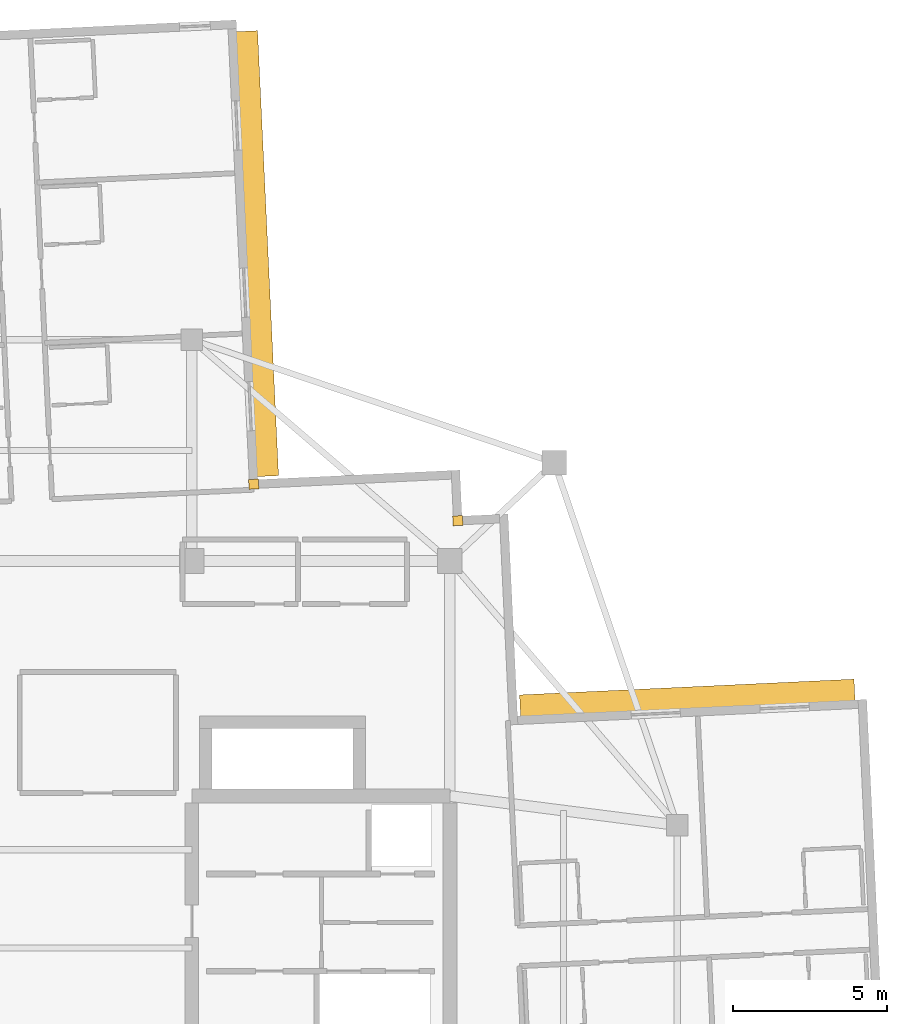
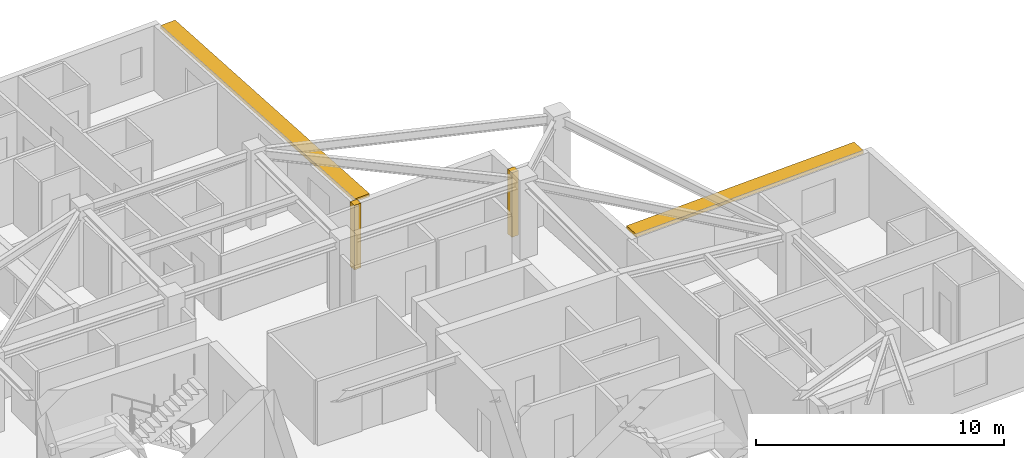
# One storey, part 13 of 13: 2 coverings, 2 shading devices.
"""IFC4 building model written with IfcOpenShell, lengths in metres."""

from ifc_helpers import new_model, si_unit, direction, frame, origin, origin_2d, place, context, subcontext, project, spatial, rectangle, extrude, material, layer, layer_set, type_object, element, save


model = new_model("IFC4")

# Units and contexts
model_context = context("Model", 3, precision=1e-05, world=origin(), true_north=direction((0.0, 1.0)))
body_context = subcontext(model_context, "Body", "Model", "MODEL_VIEW")
ifc_project = project(units=[si_unit("LENGTHUNIT", "METRE"), si_unit("AREAUNIT", "SQUARE_METRE"), si_unit("VOLUMEUNIT", "CUBIC_METRE"), si_unit("PLANEANGLEUNIT", "RADIAN"), si_unit("MASSUNIT", "GRAM", prefix="KILO")], contexts=[model_context])

# Site, building, storey
site_placement = place(None, origin())
site = spatial("IfcSite", under=ifc_project, at=site_placement, CompositionType="ELEMENT")
building_placement = place(site_placement, origin())
building = spatial("IfcBuilding", under=site, at=building_placement, Name="Qingluan Cross Belvedere", CompositionType="ELEMENT")
storey_placement = place(building_placement, frame((0.0, 0.0, 277.199951171875)))
storey = spatial("IfcBuildingStorey", under=building, at=storey_placement, Name="L69", CompositionType="ELEMENT", Elevation=277.199951171875)

# Coverings
ifc_material_1 = material(Name="Precast concrete C45", Category="concrete")
ifc_layer_1 = layer(ifc_material_1, 0.1201171875, Name="ConcreteSpandrelCladding_120")
ifc_layer_set_1 = layer_set([ifc_layer_1], Name="Precast concrete C45")
covering_type = type_object("IfcCoveringType", Name="ConcreteSpandrelCladding_120", PredefinedType="CLADDING", material=ifc_layer_set_1)
for number, where, z_axis, x_axis, name in (
    (1, (12.65869140625, 13.911865234375, 0.0), (0.0, 0.0, 1.0), (0.998889874962, 0.04710645071, 0.0), "Corner closure L69-NE1"),
    (2, (6.015380859375, 15.10009765625, 0.0), (0.0, 0.0, 1.0), (0.998889874962, 0.04710645071, 0.0), "Corner closure L69-NE2"),
):
    element("IfcCovering", number, at=place(storey_placement, frame(where, z_axis=z_axis, x_axis=x_axis)), inside=storey, type_object=covering_type, Name=name, PredefinedType="CLADDING", context=body_context, shape_type="SweptSolid", body=[
        extrude(rectangle(XDim=0.320068359375, YDim=0.320068359375, at=origin_2d()), origin(), (0.0, 0.0, 1.0), 3.179931640625),
    ])

# Shading devices
ifc_material_2 = material(Name="Precast concrete C45", Category="concrete")
ifc_layer_2 = layer(ifc_material_2, 0.139892578125, Name="ConcreteSunshadeBand_700")
ifc_layer_set_2 = layer_set([ifc_layer_2], Name="Precast concrete C45")
shading_device_type = type_object("IfcShadingDeviceType", Name="ConcreteSunshadeBand_700", PredefinedType="USERDEFINED", material=ifc_layer_set_2)
shading_device_1_placement = place(storey_placement, frame((20.128662109375, 8.147216796875, 3.0), z_axis=(0.0, 0.0, 1.0), x_axis=(-0.998889781456, -0.047108433452, 0.0)))
element("IfcShadingDevice", 3, at=shading_device_1_placement, inside=storey, type_object=shading_device_type, Name="Concrete SUNSHADE L69-EB", ObjectType="SUNSHADE", PredefinedType="USERDEFINED", context=body_context, shape_type="SweptSolid", body=[
    extrude(rectangle(XDim=10.89990234375, YDim=0.699951171875, at=origin_2d()), origin(), (0.0, 0.0, 1.0), 0.159912109375),
])
shading_device_2_placement = place(storey_placement, frame((6.132080078125, 22.60400390625, 3.0), z_axis=(0.0, 0.0, 1.0), x_axis=(-0.047108777928, 0.99888976521, 0.0)))
element("IfcShadingDevice", 4, at=shading_device_2_placement, inside=storey, type_object=shading_device_type, Name="Concrete SUNSHADE L69-NA", ObjectType="SUNSHADE", PredefinedType="USERDEFINED", context=body_context, shape_type="SweptSolid", body=[
    extrude(rectangle(XDim=14.5, YDim=0.699951171875, at=origin_2d()), origin(), (0.0, 0.0, 1.0), 0.159912109375),
])

save(model, "model.ifc")
